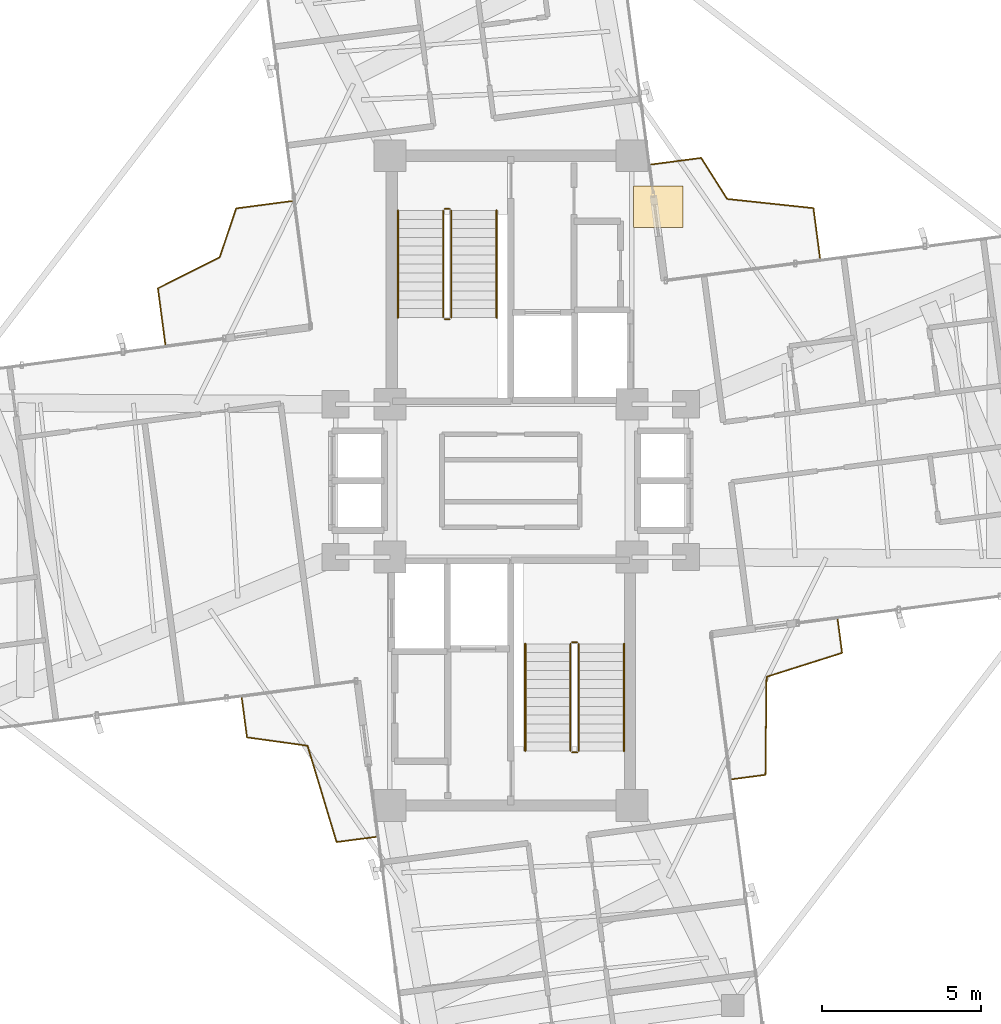
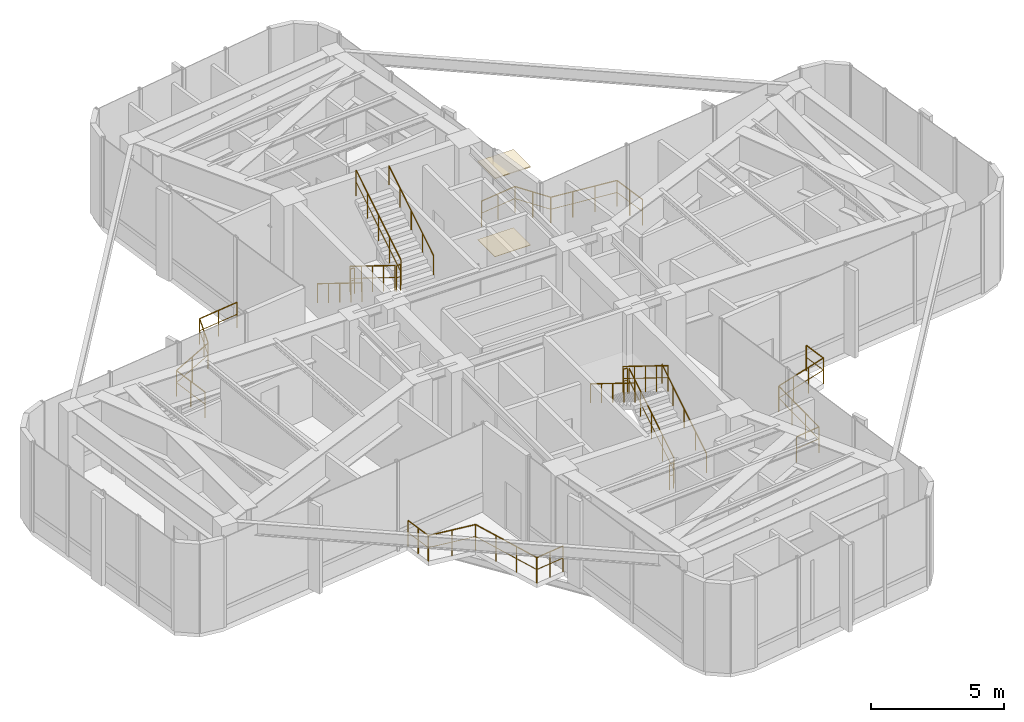
# One storey, part 18 of 18: 16 railings, 2 coverings.
"""IFC4 building model written with IfcOpenShell, lengths in metres."""

from ifc_helpers import new_model, si_unit, direction, frame, origin, origin_2d, place, context, subcontext, project, spatial, polyline, circle, outline, extrude, material, layer, layer_set, type_object, element, save


model = new_model("IFC4")

# Units and contexts
model_context = context("Model", 3, precision=1e-05, world=origin(), true_north=direction((0.0, 1.0)))
body_context = subcontext(model_context, "Body", "Model", "MODEL_VIEW")
ifc_project = project(units=[si_unit("LENGTHUNIT", "METRE"), si_unit("AREAUNIT", "SQUARE_METRE"), si_unit("VOLUMEUNIT", "CUBIC_METRE"), si_unit("PLANEANGLEUNIT", "RADIAN"), si_unit("MASSUNIT", "GRAM", prefix="KILO")], contexts=[model_context])

# Site, building, storey
site_placement = place(None, origin())
site = spatial("IfcSite", under=ifc_project, at=site_placement, CompositionType="ELEMENT")
building_placement = place(site_placement, origin())
building = spatial("IfcBuilding", under=site, at=building_placement, Name="Sahyath Konkavel Grand Hotel", CompositionType="ELEMENT")
storey_placement = place(building_placement, frame((0.0, 0.0, 275.800048828125)))
storey = spatial("IfcBuildingStorey", under=building, at=storey_placement, Name="L77", CompositionType="ELEMENT", Elevation=275.800048828125)

# Coverings
ifc_material_1 = material(Name="Perforated Acoustic Gypsum and Teak Baffle Ceiling")
ifc_layer_1 = layer(ifc_material_1, 0.044921875)
ifc_layer_set_1 = layer_set([ifc_layer_1], Name="Perforated Acoustic Gypsum and Teak Baffle Ceiling")
covering_type_1 = type_object("IfcCoveringType", Name="COV-ACOUSTIC-CLG", PredefinedType="CEILING", material=ifc_layer_set_1)
covering_1_placement = place(storey_placement, frame((0.0, 0.0, 3.579833984375)))
element("IfcCovering", 1, at=covering_1_placement, inside=storey, type_object=covering_type_1, Name="L77 Core Vestibule Acoustic Ceiling", PredefinedType="CEILING", context=body_context, shape_type="SweptSolid", body=[
    extrude(outline(polyline([(3.85009765625, 7.949951171875), (5.39990234375, 7.949951171875), (5.39990234375, 9.25), (3.85009765625, 9.25), (3.85009765625, 7.949951171875)])), origin(), (0.0, 0.0, 1.0), 0.0400390625),
])
ifc_material_2 = material(Name="Polished Konkan Aggregate Terrazzo Flooring")
ifc_layer_2 = layer(ifc_material_2, 0.02001953125)
ifc_layer_set_2 = layer_set([ifc_layer_2], Name="Polished Konkan Aggregate Terrazzo Flooring")
covering_type_2 = type_object("IfcCoveringType", Name="COV-TERRAZZO", PredefinedType="FLOORING", material=ifc_layer_set_2)
covering_2_placement = place(storey_placement, origin())
element("IfcCovering", 2, at=covering_2_placement, inside=storey, type_object=covering_type_2, Name="L77 Core Vestibule Terrazzo Flooring", PredefinedType="FLOORING", context=body_context, shape_type="SweptSolid", body=[
    extrude(outline(polyline([(3.85009765625, 7.949951171875), (5.39990234375, 7.949951171875), (5.39990234375, 9.25), (3.85009765625, 9.25), (3.85009765625, 7.949951171875)])), origin(), (0.0, 0.0, 1.0), 0.02001953125),
])

# Railings
ifc_material_3 = material(Name="Anodised Bronze Aluminium", Category="aluminium")
railing_type_1 = type_object("IfcRailingType", Name="RLG-BALC-1200", PredefinedType="GUARDRAIL", material=ifc_material_3)
railing_1_placement = place(storey_placement, frame((9.7041015625, 6.986328125, 0.0)))
element("IfcRailing", 3, at=railing_1_placement, inside=storey, type_object=railing_type_1, Name="L77 Winter-Garden Guard NE", PredefinedType="GUARDRAIL", context=body_context, shape_type="SweptSolid", body=[
    extrude(circle(Radius=0.02392578125, at=origin_2d()), frame((-0.000244140625, 0.001953125, 1.17578125), z_axis=(-0.130498353005, 0.991448526078, 0.0), x_axis=(-0.991448526078, -0.130498353005, 0.0)), (0.0, 0.0, 1.0), 1.58056640625),
    extrude(circle(Radius=0.01416015625, at=origin_2d()), frame((-0.000244140625, 0.001953125, 0.6240234375), z_axis=(-0.130498353005, 0.991448526078, 0.0), x_axis=(-0.991448526078, -0.130498353005, 0.0)), (0.0, 0.0, 1.0), 1.58056640625),
    extrude(circle(Radius=0.02392578125, at=origin_2d()), frame((-0.208740234375, 1.5712890625, 1.17578125), z_axis=(-0.994386506679, 0.105808673249, 0.0), x_axis=(-0.105808673249, -0.994386506679, 0.0)), (0.0, 0.0, 1.0), 2.720947265625),
    extrude(circle(Radius=0.01416015625, at=origin_2d()), frame((-0.208740234375, 1.5712890625, 0.6240234375), z_axis=(-0.994386506679, 0.105808673249, 0.0), x_axis=(-0.105808673249, -0.994386506679, 0.0)), (0.0, 0.0, 1.0), 2.720947265625),
    extrude(circle(Radius=0.02392578125, at=origin_2d()), frame((-2.91748046875, 1.861083984375, 1.17578125), z_axis=(-0.5346860824, 0.845050763734, 0.0), x_axis=(-0.845050763734, -0.5346860824, 0.0)), (0.0, 0.0, 1.0), 1.519775390625),
    extrude(circle(Radius=0.01416015625, at=origin_2d()), frame((-2.91748046875, 1.861083984375, 0.6240234375), z_axis=(-0.5346860824, 0.845050763734, 0.0), x_axis=(-0.845050763734, -0.5346860824, 0.0)), (0.0, 0.0, 1.0), 1.519775390625),
    extrude(circle(Radius=0.02392578125, at=origin_2d()), frame((-3.733154296875, 3.146728515625, 1.17578125), z_axis=(-0.991448526078, -0.130498353005, 0.0), x_axis=(0.130498353005, -0.991448526078, 0.0)), (0.0, 0.0, 1.0), 1.58056640625),
    extrude(circle(Radius=0.01416015625, at=origin_2d()), frame((-3.733154296875, 3.146728515625, 0.6240234375), z_axis=(-0.991448526078, -0.130498353005, 0.0), x_axis=(0.130498353005, -0.991448526078, 0.0)), (0.0, 0.0, 1.0), 1.58056640625),
    extrude(circle(Radius=0.02099609375, at=origin_2d()), origin(), (0.0, 0.0, 1.0), 1.15185546875),
    extrude(circle(Radius=0.02099609375, at=origin_2d()), frame((-0.103515625, 0.78564453125, 0.0)), (0.0, 0.0, 1.0), 1.15185546875),
    extrude(circle(Radius=0.02099609375, at=origin_2d()), frame((-0.206787109375, 1.571044921875, 0.0)), (0.0, 0.0, 1.0), 1.15185546875),
    extrude(circle(Radius=0.02099609375, at=origin_2d()), frame((-1.110107421875, 1.667236328125, 0.0)), (0.0, 0.0, 1.0), 1.15185546875),
    extrude(circle(Radius=0.02099609375, at=origin_2d()), frame((-2.01318359375, 1.76318359375, 0.0)), (0.0, 0.0, 1.0), 1.15185546875),
    extrude(circle(Radius=0.02099609375, at=origin_2d()), frame((-2.91650390625, 1.859375, 0.0)), (0.0, 0.0, 1.0), 1.15185546875),
    extrude(circle(Radius=0.02099609375, at=origin_2d()), frame((-3.32373046875, 2.503173828125, 0.0)), (0.0, 0.0, 1.0), 1.15185546875),
    extrude(circle(Radius=0.02099609375, at=origin_2d()), frame((-3.731201171875, 3.14697265625, 0.0)), (0.0, 0.0, 1.0), 1.15185546875),
    extrude(circle(Radius=0.02099609375, at=origin_2d()), frame((-4.5166015625, 3.04345703125, 0.0)), (0.0, 0.0, 1.0), 1.15185546875),
    extrude(circle(Radius=0.02099609375, at=origin_2d()), frame((-5.30224609375, 2.940185546875, 0.0)), (0.0, 0.0, 1.0), 1.15185546875),
])
railing_2_placement = place(storey_placement, frame((-6.864990234375, 8.781005859375, 0.0)))
element("IfcRailing", 4, at=railing_2_placement, inside=storey, type_object=railing_type_1, Name="L77 Winter-Garden Guard NW", PredefinedType="GUARDRAIL", context=body_context, shape_type="SweptSolid", body=[
    extrude(circle(Radius=0.02392578125, at=origin_2d()), frame((-0.001953125, -0.000244140625, 1.17578125), z_axis=(-0.991439303542, -0.130568401202, 0.0), x_axis=(0.130568401202, -0.991439303542, 0.0)), (0.0, 0.0, 1.0), 1.7705078125),
    extrude(circle(Radius=0.01416015625, at=origin_2d()), frame((-0.001953125, -0.000244140625, 0.6240234375), z_axis=(-0.991439303542, -0.130568401202, 0.0), x_axis=(0.130568401202, -0.991439303542, 0.0)), (0.0, 0.0, 1.0), 1.7705078125),
    extrude(circle(Radius=0.02392578125, at=origin_2d()), frame((-1.760009765625, -0.233642578125, 1.17578125), z_axis=(-0.319617915743, -0.947546509643, 0.0), x_axis=(0.947546509643, -0.319617915743, 0.0)), (0.0, 0.0, 1.0), 1.615478515625),
    extrude(circle(Radius=0.01416015625, at=origin_2d()), frame((-1.760009765625, -0.233642578125, 0.6240234375), z_axis=(-0.319617915743, -0.947546509643, 0.0), x_axis=(0.947546509643, -0.319617915743, 0.0)), (0.0, 0.0, 1.0), 1.615478515625),
    extrude(circle(Radius=0.02392578125, at=origin_2d()), frame((-2.278564453125, -1.76708984375, 1.17578125), z_axis=(-0.893435293954, -0.449191913904, 0.0), x_axis=(0.449191913904, -0.893435293954, 0.0)), (0.0, 0.0, 1.0), 2.166748046875),
    extrude(circle(Radius=0.01416015625, at=origin_2d()), frame((-2.278564453125, -1.76708984375, 0.6240234375), z_axis=(-0.893435293954, -0.449191913904, 0.0), x_axis=(0.449191913904, -0.893435293954, 0.0)), (0.0, 0.0, 1.0), 2.166748046875),
    extrude(circle(Radius=0.02392578125, at=origin_2d()), frame((-4.216064453125, -2.7431640625, 1.17578125), z_axis=(0.130568401202, -0.991439303542, 0.0), x_axis=(0.991439303542, 0.130568401202, 0.0)), (0.0, 0.0, 1.0), 1.7705078125),
    extrude(circle(Radius=0.01416015625, at=origin_2d()), frame((-4.216064453125, -2.7431640625, 0.6240234375), z_axis=(0.130568401202, -0.991439303542, 0.0), x_axis=(0.991439303542, 0.130568401202, 0.0)), (0.0, 0.0, 1.0), 1.7705078125),
    extrude(circle(Radius=0.02099609375, at=origin_2d()), origin(), (0.0, 0.0, 1.0), 1.15185546875),
    extrude(circle(Radius=0.02099609375, at=origin_2d()), frame((-0.879638671875, -0.11572265625, 0.0)), (0.0, 0.0, 1.0), 1.15185546875),
    extrude(circle(Radius=0.02099609375, at=origin_2d()), frame((-1.75927734375, -0.231689453125, 0.0)), (0.0, 0.0, 1.0), 1.15185546875),
    extrude(circle(Radius=0.02099609375, at=origin_2d()), frame((-2.01806640625, -0.9990234375, 0.0)), (0.0, 0.0, 1.0), 1.15185546875),
    extrude(circle(Radius=0.02099609375, at=origin_2d()), frame((-2.27685546875, -1.76611328125, 0.0)), (0.0, 0.0, 1.0), 1.15185546875),
    extrude(circle(Radius=0.02099609375, at=origin_2d()), frame((-3.24658203125, -2.253662109375, 0.0)), (0.0, 0.0, 1.0), 1.15185546875),
    extrude(circle(Radius=0.02099609375, at=origin_2d()), frame((-4.21630859375, -2.7412109375, 0.0)), (0.0, 0.0, 1.0), 1.15185546875),
    extrude(circle(Radius=0.02099609375, at=origin_2d()), frame((-4.1005859375, -3.620849609375, 0.0)), (0.0, 0.0, 1.0), 1.15185546875),
    extrude(circle(Radius=0.02099609375, at=origin_2d()), frame((-3.984619140625, -4.50048828125, 0.0)), (0.0, 0.0, 1.0), 1.15185546875),
])
railing_3_placement = place(storey_placement, frame((-8.448974609375, -6.8212890625, 0.0)))
element("IfcRailing", 5, at=railing_3_placement, inside=storey, type_object=railing_type_1, Name="L77 Winter-Garden Guard SW", PredefinedType="GUARDRAIL", context=body_context, shape_type="SweptSolid", body=[
    extrude(circle(Radius=0.02392578125, at=origin_2d()), frame((0.000244140625, -0.001953125, 1.17578125), z_axis=(0.130535512063, -0.991443634349, 0.0), x_axis=(0.991443634349, 0.130535512063, 0.0)), (0.0, 0.0, 1.0), 1.243408203125),
    extrude(circle(Radius=0.01416015625, at=origin_2d()), frame((0.000244140625, -0.001953125, 0.6240234375), z_axis=(0.130535512063, -0.991443634349, 0.0), x_axis=(0.991443634349, 0.130535512063, 0.0)), (0.0, 0.0, 1.0), 1.243408203125),
    extrude(circle(Radius=0.02392578125, at=origin_2d()), frame((0.164794921875, -1.237060546875, 1.17578125), z_axis=(0.990609847307, -0.136719166242, 0.0), x_axis=(0.136719166242, 0.990609847307, 0.0)), (0.0, 0.0, 1.0), 1.91552734375),
    extrude(circle(Radius=0.01416015625, at=origin_2d()), frame((0.164794921875, -1.237060546875, 0.6240234375), z_axis=(0.990609847307, -0.136719166242, 0.0), x_axis=(0.136719166242, 0.990609847307, 0.0)), (0.0, 0.0, 1.0), 1.91552734375),
    extrude(circle(Radius=0.02392578125, at=origin_2d()), frame((2.06494140625, -1.501220703125, 1.17578125), z_axis=(0.288425721115, -0.957502273313, 0.0), x_axis=(0.957502273313, 0.288425721115, 0.0)), (0.0, 0.0, 1.0), 3.154052734375),
    extrude(circle(Radius=0.01416015625, at=origin_2d()), frame((2.06494140625, -1.501220703125, 0.6240234375), z_axis=(0.288425721115, -0.957502273313, 0.0), x_axis=(0.957502273313, 0.288425721115, 0.0)), (0.0, 0.0, 1.0), 3.154052734375),
    extrude(circle(Radius=0.02392578125, at=origin_2d()), frame((2.977294921875, -4.52294921875, 1.17578125), z_axis=(0.991443634349, 0.130535512063, 0.0), x_axis=(-0.130535512063, 0.991443634349, 0.0)), (0.0, 0.0, 1.0), 1.243408203125),
    extrude(circle(Radius=0.01416015625, at=origin_2d()), frame((2.977294921875, -4.52294921875, 0.6240234375), z_axis=(0.991443634349, 0.130535512063, 0.0), x_axis=(-0.130535512063, 0.991443634349, 0.0)), (0.0, 0.0, 1.0), 1.243408203125),
    extrude(circle(Radius=0.02099609375, at=origin_2d()), origin(), (0.0, 0.0, 1.0), 1.15185546875),
    extrude(circle(Radius=0.02099609375, at=origin_2d()), frame((0.08154296875, -0.618408203125, 0.0)), (0.0, 0.0, 1.0), 1.15185546875),
    extrude(circle(Radius=0.02099609375, at=origin_2d()), frame((0.162841796875, -1.23681640625, 0.0)), (0.0, 0.0, 1.0), 1.15185546875),
    extrude(circle(Radius=0.02099609375, at=origin_2d()), frame((1.11376953125, -1.3681640625, 0.0)), (0.0, 0.0, 1.0), 1.15185546875),
    extrude(circle(Radius=0.02099609375, at=origin_2d()), frame((2.064453125, -1.499267578125, 0.0)), (0.0, 0.0, 1.0), 1.15185546875),
    extrude(circle(Radius=0.02099609375, at=origin_2d()), frame((2.3681640625, -2.50732421875, 0.0)), (0.0, 0.0, 1.0), 1.15185546875),
    extrude(circle(Radius=0.02099609375, at=origin_2d()), frame((2.671630859375, -3.51513671875, 0.0)), (0.0, 0.0, 1.0), 1.15185546875),
    extrude(circle(Radius=0.02099609375, at=origin_2d()), frame((2.975341796875, -4.523193359375, 0.0)), (0.0, 0.0, 1.0), 1.15185546875),
    extrude(circle(Radius=0.02099609375, at=origin_2d()), frame((3.59375, -4.44189453125, 0.0)), (0.0, 0.0, 1.0), 1.15185546875),
    extrude(circle(Radius=0.02099609375, at=origin_2d()), frame((4.212158203125, -4.3603515625, 0.0)), (0.0, 0.0, 1.0), 1.15185546875),
])
railing_4_placement = place(storey_placement, frame((6.942626953125, -9.3720703125, 0.0)))
element("IfcRailing", 6, at=railing_4_placement, inside=storey, type_object=railing_type_1, Name="L77 Winter-Garden Guard SE", PredefinedType="GUARDRAIL", context=body_context, shape_type="SweptSolid", body=[
    extrude(circle(Radius=0.02392578125, at=origin_2d()), frame((0.001953125, 0.000244140625, 1.17578125), z_axis=(0.991428348481, 0.130651558845, 0.0), x_axis=(-0.130651558845, 0.991428348481, 0.0)), (0.0, 0.0, 1.0), 1.0537109375),
    extrude(circle(Radius=0.01416015625, at=origin_2d()), frame((0.001953125, 0.000244140625, 0.6240234375), z_axis=(0.991428348481, 0.130651558845, 0.0), x_axis=(-0.130651558845, 0.991428348481, 0.0)), (0.0, 0.0, 1.0), 1.0537109375),
    extrude(circle(Radius=0.02392578125, at=origin_2d()), frame((1.048583984375, 0.14013671875, 1.17578125), z_axis=(0.010791309396, 0.999941772126, 0.0), x_axis=(-0.999941772126, 0.010791309396, 0.0)), (0.0, 0.0, 1.0), 3.07275390625),
    extrude(circle(Radius=0.01416015625, at=origin_2d()), frame((1.048583984375, 0.14013671875, 0.6240234375), z_axis=(0.010791309396, 0.999941772126, 0.0), x_axis=(-0.999941772126, 0.010791309396, 0.0)), (0.0, 0.0, 1.0), 3.07275390625),
    extrude(circle(Radius=0.02392578125, at=origin_2d()), frame((1.083740234375, 3.21533203125, 1.17578125), z_axis=(0.953428316798, 0.301619702155, 0.0), x_axis=(-0.301619702155, 0.953428316798, 0.0)), (0.0, 0.0, 1.0), 2.484130859375),
    extrude(circle(Radius=0.01416015625, at=origin_2d()), frame((1.083740234375, 3.21533203125, 0.6240234375), z_axis=(0.953428316798, 0.301619702155, 0.0), x_axis=(-0.301619702155, 0.953428316798, 0.0)), (0.0, 0.0, 1.0), 2.484130859375),
    extrude(circle(Radius=0.02392578125, at=origin_2d()), frame((3.453857421875, 3.96728515625, 1.17578125), z_axis=(-0.130651558845, 0.991428348481, 0.0), x_axis=(-0.991428348481, -0.130651558845, 0.0)), (0.0, 0.0, 1.0), 1.0537109375),
    extrude(circle(Radius=0.01416015625, at=origin_2d()), frame((3.453857421875, 3.96728515625, 0.6240234375), z_axis=(-0.130651558845, 0.991428348481, 0.0), x_axis=(-0.991428348481, -0.130651558845, 0.0)), (0.0, 0.0, 1.0), 1.0537109375),
    extrude(circle(Radius=0.02099609375, at=origin_2d()), origin(), (0.0, 0.0, 1.0), 1.15185546875),
    extrude(circle(Radius=0.02099609375, at=origin_2d()), frame((1.048583984375, 0.13818359375, 0.0)), (0.0, 0.0, 1.0), 1.15185546875),
    extrude(circle(Radius=0.02099609375, at=origin_2d()), frame((1.0595703125, 1.163818359375, 0.0)), (0.0, 0.0, 1.0), 1.15185546875),
    extrude(circle(Radius=0.02099609375, at=origin_2d()), frame((1.07080078125, 2.189208984375, 0.0)), (0.0, 0.0, 1.0), 1.15185546875),
    extrude(circle(Radius=0.02099609375, at=origin_2d()), frame((1.081787109375, 3.21484375, 0.0)), (0.0, 0.0, 1.0), 1.15185546875),
    extrude(circle(Radius=0.02099609375, at=origin_2d()), frame((1.87255859375, 3.465087890625, 0.0)), (0.0, 0.0, 1.0), 1.15185546875),
    extrude(circle(Radius=0.02099609375, at=origin_2d()), frame((2.663330078125, 3.715087890625, 0.0)), (0.0, 0.0, 1.0), 1.15185546875),
    extrude(circle(Radius=0.02099609375, at=origin_2d()), frame((3.4541015625, 3.96533203125, 0.0)), (0.0, 0.0, 1.0), 1.15185546875),
    extrude(circle(Radius=0.02099609375, at=origin_2d()), frame((3.31591796875, 5.013916015625, 0.0)), (0.0, 0.0, 1.0), 1.15185546875),
])
ifc_material_4 = material(Name="Steel E350", Category="steel")
railing_type_2 = type_object("IfcRailingType", Name="RLG-STAIR-GRD", PredefinedType="GUARDRAIL", material=ifc_material_4)
railing_5_placement = place(storey_placement, frame((-2.1298828125, 8.47998046875, 0.173095703125)))
element("IfcRailing", 7, at=railing_5_placement, inside=storey, type_object=railing_type_2, Name="L77 ST-1 stair guard 1", PredefinedType="GUARDRAIL", context=body_context, shape_type="SweptSolid", body=[
    extrude(circle(Radius=0.02392578125, at=origin_2d()), frame((0.0, -0.001708984375, 1.177001953125), z_axis=(0.0, -0.850606129759, 0.525803396734), x_axis=(1.0, 0.0, 0.0)), (0.0, 0.0, 1.0), 3.946044921875),
    extrude(circle(Radius=0.01416015625, at=origin_2d()), frame((0.0, -0.001708984375, 0.625), z_axis=(0.0, -0.850606129759, 0.525803396734), x_axis=(1.0, 0.0, 0.0)), (0.0, 0.0, 1.0), 3.946044921875),
    extrude(circle(Radius=0.02099609375, at=origin_2d()), origin(), (0.0, 0.0, 1.0), 1.15185546875),
    extrude(circle(Radius=0.02099609375, at=origin_2d()), frame((0.0, -0.83984375, 0.519287109375)), (0.0, 0.0, 1.0), 1.15185546875),
    extrude(circle(Radius=0.02099609375, at=origin_2d()), frame((0.0, -1.679931640625, 1.03857421875)), (0.0, 0.0, 1.0), 1.15185546875),
    extrude(circle(Radius=0.02099609375, at=origin_2d()), frame((0.0, -2.52001953125, 1.5576171875)), (0.0, 0.0, 1.0), 1.15185546875),
    extrude(circle(Radius=0.02099609375, at=origin_2d()), frame((0.0, -3.35986328125, 2.076904296875)), (0.0, 0.0, 1.0), 1.15185546875),
])
railing_6_placement = place(storey_placement, frame((-2.080078125, 5.070068359375, 2.25)))
element("IfcRailing", 8, at=railing_6_placement, inside=storey, type_object=railing_type_2, Name="L77 ST-1 stair guard 2", PredefinedType="GUARDRAIL", context=body_context, shape_type="SweptSolid", body=[
    extrude(circle(Radius=0.02392578125, at=origin_2d()), frame((0.001953125, 0.0, 1.17578125), z_axis=(1.0, 0.0, 0.0), x_axis=(0.0, 1.0, 0.0)), (0.0, 0.0, 1.0), 0.15625),
    extrude(circle(Radius=0.01416015625, at=origin_2d()), frame((0.001953125, 0.0, 0.6240234375), z_axis=(1.0, 0.0, 0.0), x_axis=(0.0, 1.0, 0.0)), (0.0, 0.0, 1.0), 0.15625),
    extrude(circle(Radius=0.02099609375, at=origin_2d()), origin(), (0.0, 0.0, 1.0), 1.15185546875),
    extrude(circle(Radius=0.02099609375, at=origin_2d()), frame((0.16015625, 0.0, 0.0)), (0.0, 0.0, 1.0), 1.15185546875),
])
railing_7_placement = place(storey_placement, frame((-1.8701171875, 5.1201171875, 2.423095703125)))
element("IfcRailing", 9, at=railing_7_placement, inside=storey, type_object=railing_type_2, Name="L77 ST-1 stair guard 3", PredefinedType="GUARDRAIL", context=body_context, shape_type="SweptSolid", body=[
    extrude(circle(Radius=0.02392578125, at=origin_2d()), frame((0.0, 0.001708984375, 1.177001953125), z_axis=(0.0, 0.850606129759, 0.525803396734), x_axis=(-1.0, 0.0, 0.0)), (0.0, 0.0, 1.0), 3.946044921875),
    extrude(circle(Radius=0.01416015625, at=origin_2d()), frame((0.0, 0.001708984375, 0.625), z_axis=(0.0, 0.850606129759, 0.525803396734), x_axis=(-1.0, 0.0, 0.0)), (0.0, 0.0, 1.0), 3.946044921875),
    extrude(circle(Radius=0.02099609375, at=origin_2d()), origin(), (0.0, 0.0, 1.0), 1.15185546875),
    extrude(circle(Radius=0.02099609375, at=origin_2d()), frame((0.0, 0.83984375, 0.519287109375)), (0.0, 0.0, 1.0), 1.15185546875),
    extrude(circle(Radius=0.02099609375, at=origin_2d()), frame((0.0, 1.679931640625, 1.03857421875)), (0.0, 0.0, 1.0), 1.15185546875),
    extrude(circle(Radius=0.02099609375, at=origin_2d()), frame((0.0, 2.52001953125, 1.5576171875)), (0.0, 0.0, 1.0), 1.15185546875),
    extrude(circle(Radius=0.02099609375, at=origin_2d()), frame((0.0, 3.35986328125, 2.076904296875)), (0.0, 0.0, 1.0), 1.15185546875),
])
railing_8_placement = place(storey_placement, frame((-2.080078125, 8.530029296875, 0.0)))
element("IfcRailing", 10, at=railing_8_placement, inside=storey, type_object=railing_type_2, Name="L77 ST-1 stair guard 4", PredefinedType="GUARDRAIL", context=body_context, shape_type="SweptSolid", body=[
    extrude(circle(Radius=0.02392578125, at=origin_2d()), frame((0.001953125, 0.0, 1.17578125), z_axis=(1.0, 0.0, 0.0), x_axis=(0.0, 1.0, 0.0)), (0.0, 0.0, 1.0), 0.15625),
    extrude(circle(Radius=0.01416015625, at=origin_2d()), frame((0.001953125, 0.0, 0.6240234375), z_axis=(1.0, 0.0, 0.0), x_axis=(0.0, 1.0, 0.0)), (0.0, 0.0, 1.0), 0.15625),
    extrude(circle(Radius=0.02099609375, at=origin_2d()), origin(), (0.0, 0.0, 1.0), 1.15185546875),
    extrude(circle(Radius=0.02099609375, at=origin_2d()), frame((0.16015625, 0.0, 0.0)), (0.0, 0.0, 1.0), 1.15185546875),
])
railing_9_placement = place(storey_placement, frame((2.1298828125, -8.47998046875, 0.173095703125)))
element("IfcRailing", 11, at=railing_9_placement, inside=storey, type_object=railing_type_2, Name="L77 ST-2 stair guard 1", PredefinedType="GUARDRAIL", context=body_context, shape_type="SweptSolid", body=[
    extrude(circle(Radius=0.02392578125, at=origin_2d()), frame((0.0, 0.001708984375, 1.177001953125), z_axis=(0.0, 0.850606129759, 0.525803396734), x_axis=(-1.0, 0.0, 0.0)), (0.0, 0.0, 1.0), 3.946044921875),
    extrude(circle(Radius=0.01416015625, at=origin_2d()), frame((0.0, 0.001708984375, 0.625), z_axis=(0.0, 0.850606129759, 0.525803396734), x_axis=(-1.0, 0.0, 0.0)), (0.0, 0.0, 1.0), 3.946044921875),
    extrude(circle(Radius=0.02099609375, at=origin_2d()), origin(), (0.0, 0.0, 1.0), 1.15185546875),
    extrude(circle(Radius=0.02099609375, at=origin_2d()), frame((0.0, 0.83984375, 0.519287109375)), (0.0, 0.0, 1.0), 1.15185546875),
    extrude(circle(Radius=0.02099609375, at=origin_2d()), frame((0.0, 1.679931640625, 1.03857421875)), (0.0, 0.0, 1.0), 1.15185546875),
    extrude(circle(Radius=0.02099609375, at=origin_2d()), frame((0.0, 2.52001953125, 1.5576171875)), (0.0, 0.0, 1.0), 1.15185546875),
    extrude(circle(Radius=0.02099609375, at=origin_2d()), frame((0.0, 3.35986328125, 2.076904296875)), (0.0, 0.0, 1.0), 1.15185546875),
])
railing_10_placement = place(storey_placement, frame((2.080078125, -5.070068359375, 2.25)))
element("IfcRailing", 12, at=railing_10_placement, inside=storey, type_object=railing_type_2, Name="L77 ST-2 stair guard 2", PredefinedType="GUARDRAIL", context=body_context, shape_type="SweptSolid", body=[
    extrude(circle(Radius=0.02392578125, at=origin_2d()), frame((-0.001953125, 0.0, 1.17578125), z_axis=(-1.0, 0.0, 0.0), x_axis=(0.0, -1.0, 0.0)), (0.0, 0.0, 1.0), 0.15625),
    extrude(circle(Radius=0.01416015625, at=origin_2d()), frame((-0.001953125, 0.0, 0.6240234375), z_axis=(-1.0, 0.0, 0.0), x_axis=(0.0, -1.0, 0.0)), (0.0, 0.0, 1.0), 0.15625),
    extrude(circle(Radius=0.02099609375, at=origin_2d()), origin(), (0.0, 0.0, 1.0), 1.15185546875),
    extrude(circle(Radius=0.02099609375, at=origin_2d()), frame((-0.16015625, 0.0, 0.0)), (0.0, 0.0, 1.0), 1.15185546875),
])
railing_11_placement = place(storey_placement, frame((1.8701171875, -5.1201171875, 2.423095703125)))
element("IfcRailing", 13, at=railing_11_placement, inside=storey, type_object=railing_type_2, Name="L77 ST-2 stair guard 3", PredefinedType="GUARDRAIL", context=body_context, shape_type="SweptSolid", body=[
    extrude(circle(Radius=0.02392578125, at=origin_2d()), frame((0.0, -0.001708984375, 1.177001953125), z_axis=(0.0, -0.850606129759, 0.525803396734), x_axis=(1.0, 0.0, 0.0)), (0.0, 0.0, 1.0), 3.946044921875),
    extrude(circle(Radius=0.01416015625, at=origin_2d()), frame((0.0, -0.001708984375, 0.625), z_axis=(0.0, -0.850606129759, 0.525803396734), x_axis=(1.0, 0.0, 0.0)), (0.0, 0.0, 1.0), 3.946044921875),
    extrude(circle(Radius=0.02099609375, at=origin_2d()), origin(), (0.0, 0.0, 1.0), 1.15185546875),
    extrude(circle(Radius=0.02099609375, at=origin_2d()), frame((0.0, -0.83984375, 0.519287109375)), (0.0, 0.0, 1.0), 1.15185546875),
    extrude(circle(Radius=0.02099609375, at=origin_2d()), frame((0.0, -1.679931640625, 1.03857421875)), (0.0, 0.0, 1.0), 1.15185546875),
    extrude(circle(Radius=0.02099609375, at=origin_2d()), frame((0.0, -2.52001953125, 1.5576171875)), (0.0, 0.0, 1.0), 1.15185546875),
    extrude(circle(Radius=0.02099609375, at=origin_2d()), frame((0.0, -3.35986328125, 2.076904296875)), (0.0, 0.0, 1.0), 1.15185546875),
])
railing_12_placement = place(storey_placement, frame((2.080078125, -8.530029296875, 0.0)))
element("IfcRailing", 14, at=railing_12_placement, inside=storey, type_object=railing_type_2, Name="L77 ST-2 stair guard 4", PredefinedType="GUARDRAIL", context=body_context, shape_type="SweptSolid", body=[
    extrude(circle(Radius=0.02392578125, at=origin_2d()), frame((-0.001953125, 0.0, 1.17578125), z_axis=(-1.0, 0.0, 0.0), x_axis=(0.0, -1.0, 0.0)), (0.0, 0.0, 1.0), 0.15625),
    extrude(circle(Radius=0.01416015625, at=origin_2d()), frame((-0.001953125, 0.0, 0.6240234375), z_axis=(-1.0, 0.0, 0.0), x_axis=(0.0, -1.0, 0.0)), (0.0, 0.0, 1.0), 0.15625),
    extrude(circle(Radius=0.02099609375, at=origin_2d()), origin(), (0.0, 0.0, 1.0), 1.15185546875),
    extrude(circle(Radius=0.02099609375, at=origin_2d()), frame((-0.16015625, 0.0, 0.0)), (0.0, 0.0, 1.0), 1.15185546875),
])
railing_type_3 = type_object("IfcRailingType", Name="RLG-STAIR-HND", PredefinedType="HANDRAIL", material=ifc_material_3)
railing_13_placement = place(storey_placement, frame((-3.550048828125, 8.47998046875, 0.173095703125)))
element("IfcRailing", 15, at=railing_13_placement, inside=storey, type_object=railing_type_3, Name="L77 ST-1 stair handrail 1", PredefinedType="HANDRAIL", context=body_context, shape_type="SweptSolid", body=[
    extrude(circle(Radius=0.02392578125, at=origin_2d()), frame((0.0, -0.001708984375, 0.876953125), z_axis=(0.0, -0.850606129759, 0.525803396734), x_axis=(1.0, 0.0, 0.0)), (0.0, 0.0, 1.0), 3.946044921875),
    extrude(circle(Radius=0.02099609375, at=origin_2d()), origin(), (0.0, 0.0, 1.0), 0.851806640625),
    extrude(circle(Radius=0.02099609375, at=origin_2d()), frame((0.0, -0.83984375, 0.519287109375)), (0.0, 0.0, 1.0), 0.851806640625),
    extrude(circle(Radius=0.02099609375, at=origin_2d()), frame((0.0, -1.679931640625, 1.03857421875)), (0.0, 0.0, 1.0), 0.851806640625),
    extrude(circle(Radius=0.02099609375, at=origin_2d()), frame((0.0, -2.52001953125, 1.5576171875)), (0.0, 0.0, 1.0), 0.851806640625),
    extrude(circle(Radius=0.02099609375, at=origin_2d()), frame((0.0, -3.35986328125, 2.076904296875)), (0.0, 0.0, 1.0), 0.851806640625),
])
for number, where, name in (
    (16, (-0.449951171875, 5.1201171875, 2.423095703125), "L77 ST-1 stair handrail 2"),
    (17, (3.550048828125, -8.47998046875, 0.173095703125), "L77 ST-2 stair handrail 1"),
):
    element("IfcRailing", number, at=place(storey_placement, frame(where)), inside=storey, type_object=railing_type_3, Name=name, PredefinedType="HANDRAIL", context=body_context, shape_type="SweptSolid", body=[
        extrude(circle(Radius=0.02392578125, at=origin_2d()), frame((0.0, 0.001708984375, 0.876953125), z_axis=(0.0, 0.850606129759, 0.525803396734), x_axis=(-1.0, 0.0, 0.0)), (0.0, 0.0, 1.0), 3.946044921875),
        extrude(circle(Radius=0.02099609375, at=origin_2d()), origin(), (0.0, 0.0, 1.0), 0.851806640625),
        extrude(circle(Radius=0.02099609375, at=origin_2d()), frame((0.0, 0.83984375, 0.519287109375)), (0.0, 0.0, 1.0), 0.851806640625),
        extrude(circle(Radius=0.02099609375, at=origin_2d()), frame((0.0, 1.679931640625, 1.03857421875)), (0.0, 0.0, 1.0), 0.851806640625),
        extrude(circle(Radius=0.02099609375, at=origin_2d()), frame((0.0, 2.52001953125, 1.5576171875)), (0.0, 0.0, 1.0), 0.851806640625),
        extrude(circle(Radius=0.02099609375, at=origin_2d()), frame((0.0, 3.35986328125, 2.076904296875)), (0.0, 0.0, 1.0), 0.851806640625),
    ])
railing_14_placement = place(storey_placement, frame((0.449951171875, -5.1201171875, 2.423095703125)))
element("IfcRailing", 18, at=railing_14_placement, inside=storey, type_object=railing_type_3, Name="L77 ST-2 stair handrail 2", PredefinedType="HANDRAIL", context=body_context, shape_type="SweptSolid", body=[
    extrude(circle(Radius=0.02392578125, at=origin_2d()), frame((0.0, -0.001708984375, 0.876953125), z_axis=(0.0, -0.850606129759, 0.525803396734), x_axis=(1.0, 0.0, 0.0)), (0.0, 0.0, 1.0), 3.946044921875),
    extrude(circle(Radius=0.02099609375, at=origin_2d()), origin(), (0.0, 0.0, 1.0), 0.851806640625),
    extrude(circle(Radius=0.02099609375, at=origin_2d()), frame((0.0, -0.83984375, 0.519287109375)), (0.0, 0.0, 1.0), 0.851806640625),
    extrude(circle(Radius=0.02099609375, at=origin_2d()), frame((0.0, -1.679931640625, 1.03857421875)), (0.0, 0.0, 1.0), 0.851806640625),
    extrude(circle(Radius=0.02099609375, at=origin_2d()), frame((0.0, -2.52001953125, 1.5576171875)), (0.0, 0.0, 1.0), 0.851806640625),
    extrude(circle(Radius=0.02099609375, at=origin_2d()), frame((0.0, -3.35986328125, 2.076904296875)), (0.0, 0.0, 1.0), 0.851806640625),
])

save(model, "model.ifc")
